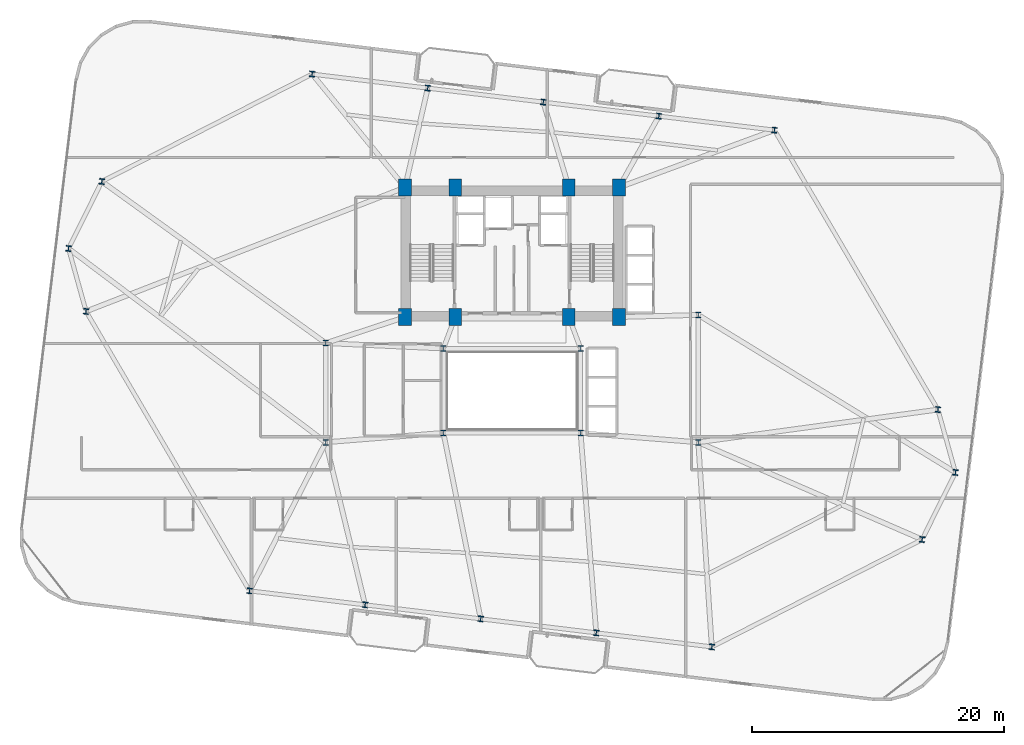
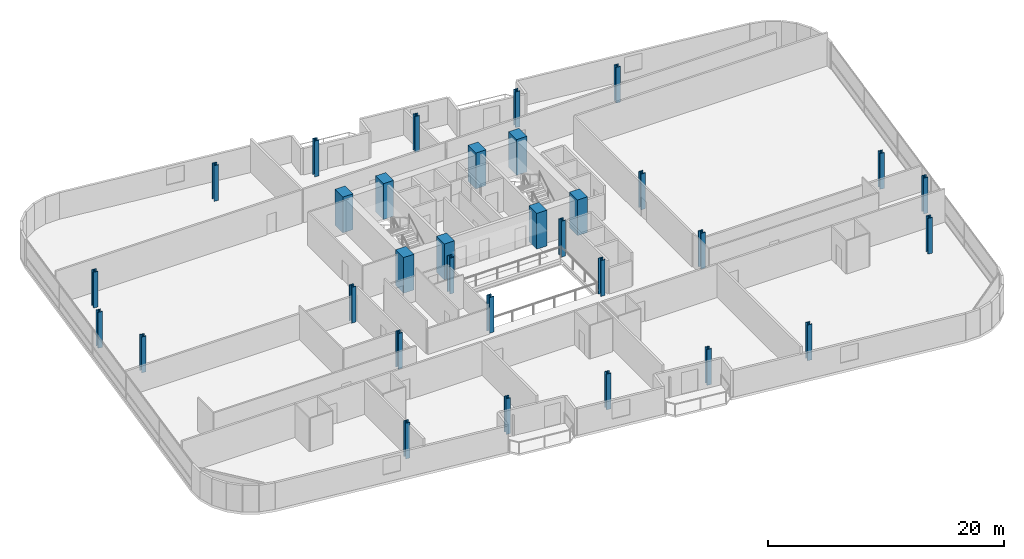
# One storey, part 1 of 25: 32 columns.
"""IFC4 building model written with IfcOpenShell, lengths in metres."""

import ifcopenshell
import ifcopenshell.guid

model = None  # the IFC model being written
_history = None  # IfcOwnerHistory: only IFC2X3 demands one
_inside = {}  # id of a spatial element -> (the spatial element, [elements in it])
_under = {}  # id of a project, library or spatial element -> (it, [spatial elements below it])
_declared = {}  # id of a project -> (the project, [libraries it declares])
_typed = {}  # id of a type object -> (the type object, [elements of that type])
_made_of = {}  # id of a material, layer set ... -> (it, [elements and type objects made of it])


def new_model(schema):
    """Start an empty IFC model of exactly this schema.

    Asked for "IFC4X3", IfcOpenShell would pick the latest addendum, in which some entities
    have other attributes; the version numbers below select the first issue.
    IFC2X3 requires an IfcOwnerHistory on every rooted entity: one is made here for all.
    """
    global model, _history
    if schema == "IFC4X3":
        model = ifcopenshell.file(schema_version=(4, 3, 0, 0))
    else:
        model = ifcopenshell.file(schema=schema)
    _inside.clear()
    _under.clear()
    _declared.clear()
    _typed.clear()
    _made_of.clear()
    _history = None
    if model.schema == "IFC2X3":
        org = make("IfcOrganization", Name="unknown")
        user = make(
            "IfcPersonAndOrganization",
            ThePerson=make("IfcPerson", FamilyName="unknown"),
            TheOrganization=org,
        )
        app = make(
            "IfcApplication",
            ApplicationDeveloper=org,
            Version="unknown",
            ApplicationFullName="unknown",
            ApplicationIdentifier="unknown",
        )
        _history = make(
            "IfcOwnerHistory",
            OwningUser=user,
            OwningApplication=app,
            ChangeAction="ADDED",
            CreationDate=0,
        )
    return model


def make(cls, **values):
    """One entity of the class cls with the attributes given. An attribute that is None is left unset."""
    return model.create_entity(
        cls, **{name: value for name, value in values.items() if value is not None}
    )


def rooted(cls, **values):
    """An entity with a GlobalId (a new one), such as an element, a storey or a relation."""
    return make(cls, GlobalId=ifcopenshell.guid.new(), OwnerHistory=_history, **values)


def si_unit(unit_type, name, prefix=None):
    """IfcSIUnit, for example si_unit("LENGTHUNIT", "METRE", prefix="MILLI")."""
    return make("IfcSIUnit", UnitType=unit_type, Prefix=prefix, Name=name)


def assignment(units):
    """IfcUnitAssignment: the units of a project."""
    return None if units is None else make("IfcUnitAssignment", Units=units)


def point(xyz):
    """IfcCartesianPoint."""
    return None if xyz is None else make("IfcCartesianPoint", Coordinates=xyz)


def direction(xyz):
    """IfcDirection."""
    return None if xyz is None else make("IfcDirection", DirectionRatios=xyz)


def frame(location, z_axis=None, x_axis=None):
    """IfcAxis2Placement3D, a coordinate frame: its origin and axes. An axis left out is left unset."""
    return make(
        "IfcAxis2Placement3D",
        Location=point(location),
        Axis=direction(z_axis),
        RefDirection=direction(x_axis),
    )


def frame_2d(location, x_axis=None):
    """IfcAxis2Placement2D, a coordinate frame in the plane: its origin and x axis."""
    return make(
        "IfcAxis2Placement2D", Location=point(location), RefDirection=direction(x_axis)
    )


def origin():
    """The frame at (0, 0, 0) with its axes left unset."""
    return frame((0.0, 0.0, 0.0))


def origin_2d():
    """The frame at (0, 0) in the plane with its x axis left unset."""
    return frame_2d((0.0, 0.0))


def place(relative_to, where):
    """IfcLocalPlacement: puts the frame where relative to a parent placement (None: the world)."""
    return make(
        "IfcLocalPlacement", PlacementRelTo=relative_to, RelativePlacement=where
    )


def context(
    kind, dimensions, precision=None, world=None, true_north=None, identifier=None
):
    """IfcGeometricRepresentationContext, for example the 3D "Model" context."""
    return make(
        "IfcGeometricRepresentationContext",
        ContextIdentifier=identifier,
        ContextType=kind,
        CoordinateSpaceDimension=dimensions,
        Precision=precision,
        WorldCoordinateSystem=world,
        TrueNorth=true_north,
    )


def subcontext(parent, identifier, kind, view, scale=None):
    """IfcGeometricRepresentationSubContext, for example "Body" below "Model"."""
    return make(
        "IfcGeometricRepresentationSubContext",
        ContextIdentifier=identifier,
        ContextType=kind,
        ParentContext=parent,
        TargetScale=scale,
        TargetView=view,
    )


def project(units=None, contexts=None):
    """IfcProject with its units and contexts."""
    return rooted(
        "IfcProject",
        Name="project",
        RepresentationContexts=contexts,
        UnitsInContext=assignment(units),
    )


def spatial(cls, under=None, at=None, **own):
    """A site, building, storey or space (cls), placed at a placement, below another one or the project."""
    s = rooted(cls, ObjectPlacement=at, **own)
    if under is not None:
        _under.setdefault(under.id(), (under, []))[1].append(s)
    return s


def profile(cls, at=None, kind="AREA", **sizes):
    """A parametric profile (cls). Its sizes go by their IFC names, for example OverallWidth=200.0."""
    return make(cls, ProfileType=kind, Position=at, **sizes)


def rectangle(**sizes):
    """IfcRectangleProfileDef."""
    return profile("IfcRectangleProfileDef", **sizes)


def i_section(**sizes):
    """IfcIShapeProfileDef."""
    return profile("IfcIShapeProfileDef", **sizes)


def extrude(swept, where, along, depth):
    """IfcExtrudedAreaSolid: the profile swept, set in the frame where, extruded along a direction by depth."""
    return make(
        "IfcExtrudedAreaSolid",
        SweptArea=swept,
        Position=where,
        ExtrudedDirection=direction(along),
        Depth=depth,
    )


def shape(context_of_items, identifier, shape_type, items):
    """IfcShapeRepresentation: the items that make up one representation, for example the "Body"."""
    return make(
        "IfcShapeRepresentation",
        ContextOfItems=context_of_items,
        RepresentationIdentifier=identifier,
        RepresentationType=shape_type,
        Items=items,
    )


def material(Name=None, Category=None):
    """IfcMaterial."""
    return make("IfcMaterial", Name=Name, Category=Category)


def material_profile(
    of_material, cross_section, Name=None, Category=None, Priority=None
):
    """IfcMaterialProfile: a cross section and its material."""
    return make(
        "IfcMaterialProfile",
        Name=Name,
        Material=of_material,
        Profile=cross_section,
        Priority=Priority,
        Category=Category,
    )


def profile_set(profiles, Name=None, composite=None):
    """IfcMaterialProfileSet."""
    return make(
        "IfcMaterialProfileSet",
        Name=Name,
        MaterialProfiles=profiles,
        CompositeProfile=composite,
    )


def made_of(thing, what):
    """Note that an element or type object is made of a material, layer set ...; save() writes the relation."""
    if what is not None:
        _made_of.setdefault(what.id(), (what, []))[1].append(thing)
    return thing


def type_object(cls, material=None, **own):
    """A type object (cls), such as IfcWallType, which elements share."""
    return made_of(rooted(cls, **own), material)


def element(
    cls,
    number,
    at=None,
    inside=None,
    cuts=None,
    type_object=None,
    material=None,
    context=None,
    identifier="Body",
    shape_type=None,
    held_by="IfcProductDefinitionShape",
    body=None,
    shapes=None,
    **own,
):
    """One element of the class cls, such as IfcWall. Its Tag is "e" and its number.

    at: its placement. inside: the storey or other place that contains it. cuts: it is an
    opening in that element (IfcRelVoidsElement). A single representation is given by context,
    identifier, shape_type and body (its items); several are given by shapes. held_by: the class
    of the entity that holds the representations. save() writes the other relations.
    """
    e = rooted(cls, Tag="e%d" % number, ObjectPlacement=at, **own)
    if body is not None:
        shapes = [shape(context, identifier, shape_type, body)]
    if shapes is not None:
        e.Representation = make(held_by, Representations=shapes)
    if inside is not None:
        _inside.setdefault(inside.id(), (inside, []))[1].append(e)
    if cuts is not None:
        rooted(
            "IfcRelVoidsElement", RelatingBuildingElement=cuts, RelatedOpeningElement=e
        )
    if type_object is not None:
        _typed.setdefault(type_object.id(), (type_object, []))[1].append(e)
    return made_of(e, material)


def aggregate(whole, parts):
    """IfcRelAggregates: a whole, such as a stair, and the parts it consists of."""
    return rooted("IfcRelAggregates", RelatingObject=whole, RelatedObjects=parts)


def save(model, path):
    """Write the relations noted so far, then the file.

    IfcRelAggregates (storeys below a building ...), IfcRelContainedInSpatialStructure (elements
    in a storey), IfcRelDefinesByType, IfcRelAssociatesMaterial and IfcRelDeclares: one each for
    every whole, place, type object, material and project.
    """
    for whole, parts in _under.values():
        aggregate(whole, parts)
    for where, things in _inside.values():
        rooted(
            "IfcRelContainedInSpatialStructure",
            RelatedElements=things,
            RelatingStructure=where,
        )
    for kind, things in _typed.values():
        rooted("IfcRelDefinesByType", RelatedObjects=things, RelatingType=kind)
    for what, things in _made_of.values():
        rooted("IfcRelAssociatesMaterial", RelatedObjects=things, RelatingMaterial=what)
    for by, libraries in _declared.values():
        rooted("IfcRelDeclares", RelatingContext=by, RelatedDefinitions=libraries)
    model.write(path)


model = new_model("IFC4")

# Units and contexts
model_context = context("Model", 3, precision=1e-05, world=origin(), true_north=direction((0.0, 1.0)))
body_context = subcontext(model_context, "Body", "Model", "MODEL_VIEW")
ifc_project = project(units=[si_unit("LENGTHUNIT", "METRE"), si_unit("AREAUNIT", "SQUARE_METRE"), si_unit("VOLUMEUNIT", "CUBIC_METRE"), si_unit("PLANEANGLEUNIT", "RADIAN"), si_unit("MASSUNIT", "GRAM", prefix="KILO")], contexts=[model_context])

# Site, building, storey
site_placement = place(None, origin())
site = spatial("IfcSite", under=ifc_project, at=site_placement, CompositionType="ELEMENT")
building_placement = place(site_placement, origin())
building = spatial("IfcBuilding", under=site, at=building_placement, Name="Varnelok Gate Tower", CompositionType="ELEMENT")
storey_placement = place(building_placement, frame((0.0, 0.0, 136.5)))
storey = spatial("IfcBuildingStorey", under=building, at=storey_placement, Name="L34", CompositionType="ELEMENT", Elevation=136.5)

# Columns
ifc_material_1 = material(Name="Concrete C70/85", Category="concrete")
ifc_material_profile_1 = material_profile(ifc_material_1, rectangle(XDim=1.0, YDim=1.35009765625, at=origin_2d()), Name="RC1350X1000")
ifc_profile_set_1 = profile_set([ifc_material_profile_1], Name="Concrete C70/85")
column_type_1 = type_object("IfcColumnType", Name="COL-RC1350X1000", PredefinedType="COLUMN", material=ifc_profile_set_1)
for number, where, z_axis, x_axis, name in (
    (1, (30.699951171875, 28.75, 0.0), (0.0, 0.0, 1.0), (1.0, 0.0, 0.0), "L34 Core Spine Column SC1"),
    (2, (34.679931640625, 28.75, 0.0), (0.0, 0.0, 1.0), (1.0, 0.0, 0.0), "L34 Core Spine Column SC2"),
    (3, (43.719970703125, 28.75, 0.0), (0.0, 0.0, 1.0), (1.0, 0.0, 0.0), "L34 Core Spine Column SC3"),
    (4, (47.699951171875, 28.75, 0.0), (0.0, 0.0, 1.0), (1.0, 0.0, 0.0), "L34 Core Spine Column SC4"),
    (5, (30.699951171875, 39.050048828125, 0.0), (0.0, 0.0, 1.0), (1.0, 0.0, 0.0), "L34 Core Spine Column SC5"),
    (6, (34.679931640625, 39.050048828125, 0.0), (0.0, 0.0, 1.0), (1.0, 0.0, 0.0), "L34 Core Spine Column SC6"),
    (7, (43.719970703125, 39.050048828125, 0.0), (0.0, 0.0, 1.0), (1.0, 0.0, 0.0), "L34 Core Spine Column SC7"),
    (8, (47.699951171875, 39.050048828125, 0.0), (0.0, 0.0, 1.0), (1.0, 0.0, 0.0), "L34 Core Spine Column SC8"),
):
    element("IfcColumn", number, at=place(storey_placement, frame(where, z_axis=z_axis, x_axis=x_axis)), inside=storey, type_object=column_type_1, Name=name, PredefinedType="COLUMN", context=body_context, shape_type="SweptSolid", body=[
        extrude(rectangle(XDim=1.0, YDim=1.35009765625, at=origin_2d()), origin(), (0.0, 0.0, 1.0), 3.699951171875),
    ])
ifc_material_2 = material(Name="Structural Steel ASTM A992 Grade 50", Category="steel")
ifc_material_profile_2 = material_profile(ifc_material_2, i_section(OverallWidth=0.41796875, OverallDepth=0.455078125, WebThickness=0.0419921875, FlangeThickness=0.067626953125, FilletRadius=0.02490234375, at=origin_2d()), Name="W14X370")
ifc_profile_set_2 = profile_set([ifc_material_profile_2], Name="Structural Steel ASTM A992 Grade 50")
column_type_2 = type_object("IfcColumnType", Name="COL-W14X370", PredefinedType="COLUMN", material=ifc_profile_set_2)
for number, where, z_axis, x_axis, name in (
    (9, (18.345703125, 6.99658203125, 0.0), (0.0, 0.0, 1.0), (0.992732158755, -0.12034475881, 0.0), "L34 B3 Perimeter Column PC01"),
    (10, (27.528564453125, 5.883544921875, 0.0), (0.0, 0.0, 1.0), (0.992732158755, -0.12034475881, 0.0), "L34 B3 Perimeter Column PC02"),
    (11, (36.711181640625, 4.770263671875, 0.0), (0.0, 0.0, 1.0), (0.992732158755, -0.12034475881, 0.0), "L34 B3 Perimeter Column PC03"),
    (12, (45.89404296875, 3.656982421875, 0.0), (0.0, 0.0, 1.0), (0.992732158755, -0.12034475881, 0.0), "L34 B3 Perimeter Column PC04"),
    (13, (55.076904296875, 2.5439453125, 0.0), (0.0, 0.0, 1.0), (0.992732158755, -0.12034475881, 0.0), "L34 B3 Perimeter Column PC05"),
    (14, (71.79296875, 11.07421875, 0.0), (0.0, 0.0, 1.0), (0.992732158755, -0.12034475881, 0.0), "L34 B3 Perimeter Column PC06"),
    (15, (74.435546875, 16.40478515625, 0.0), (0.0, 0.0, 1.0), (0.992732158755, -0.12034475881, 0.0), "L34 B3 Perimeter Column PC07"),
    (16, (73.04443359375, 21.398681640625, 0.0), (0.0, 0.0, 1.0), (0.992732158755, -0.12034475881, 0.0), "L34 B3 Perimeter Column PC08"),
    (17, (60.05419921875, 43.603271484375, 0.0), (0.0, 0.0, 1.0), (0.992732158755, -0.12034475881, 0.0), "L34 B3 Perimeter Column PC09"),
    (18, (50.87158203125, 44.716552734375, 0.0), (0.0, 0.0, 1.0), (0.992732158755, -0.12034475881, 0.0), "L34 B3 Perimeter Column PC10"),
    (19, (41.688720703125, 45.82958984375, 0.0), (0.0, 0.0, 1.0), (0.992732158755, -0.12034475881, 0.0), "L34 B3 Perimeter Column PC11"),
    (20, (32.506103515625, 46.94287109375, 0.0), (0.0, 0.0, 1.0), (0.992732158755, -0.12034475881, 0.0), "L34 B3 Perimeter Column PC12"),
    (21, (23.3232421875, 48.05615234375, 0.0), (0.0, 0.0, 1.0), (0.992732158755, -0.12034475881, 0.0), "L34 B3 Perimeter Column PC13"),
    (22, (6.607177734375, 39.52587890625, 0.0), (0.0, 0.0, 1.0), (0.992732158755, -0.12034475881, 0.0), "L34 B3 Perimeter Column PC14"),
    (23, (3.96435546875, 34.195068359375, 0.0), (0.0, 0.0, 1.0), (0.992732158755, -0.12034475881, 0.0), "L34 B3 Perimeter Column PC15"),
    (24, (5.35546875, 29.201416015625, 0.0), (0.0, 0.0, 1.0), (0.992732158755, -0.12034475881, 0.0), "L34 B3 Perimeter Column PC16"),
):
    element("IfcColumn", number, at=place(storey_placement, frame(where, z_axis=z_axis, x_axis=x_axis)), inside=storey, type_object=column_type_2, Name=name, PredefinedType="COLUMN", context=body_context, shape_type="SweptSolid", body=[
        extrude(i_section(OverallWidth=0.41796875, OverallDepth=0.455078125, WebThickness=0.0419921875, FlangeThickness=0.067626953125, FilletRadius=0.02490234375, at=origin_2d()), origin(), (0.0, 0.0, 1.0), 3.699951171875),
    ])
ifc_material_profile_3 = material_profile(ifc_material_2, i_section(OverallWidth=0.424072265625, OverallDepth=0.47412109375, WebThickness=0.047607421875, FlangeThickness=0.0771484375, FilletRadius=0.02490234375, at=origin_2d()), Name="W14X426")
ifc_profile_set_3 = profile_set([ifc_material_profile_3], Name="Structural Steel ASTM A992 Grade 50")
column_type_3 = type_object("IfcColumnType", Name="COL-W14X426", PredefinedType="COLUMN", material=ifc_profile_set_3)
for number, where, z_axis, x_axis, name in (
    (25, (33.75, 19.550048828125, 0.0), (0.0, 0.0, 1.0), (1.0, 0.0, 0.0), "L34 Atrium Spine Column AC1"),
    (26, (44.64990234375, 19.550048828125, 0.0), (0.0, 0.0, 1.0), (1.0, 0.0, 0.0), "L34 Atrium Spine Column AC2"),
    (27, (33.75, 26.25, 0.0), (0.0, 0.0, 1.0), (1.0, 0.0, 0.0), "L34 Atrium Spine Column AC3"),
    (28, (44.64990234375, 26.25, 0.0), (0.0, 0.0, 1.0), (1.0, 0.0, 0.0), "L34 Atrium Spine Column AC4"),
    (29, (24.39990234375, 18.800048828125, 0.0), (0.0, 0.0, 1.0), (1.0, 0.0, 0.0), "L34 Wing Spine Column WS1"),
    (30, (24.39990234375, 26.679931640625, 0.0), (0.0, 0.0, 1.0), (1.0, 0.0, 0.0), "L34 Wing Spine Column WS2"),
    (31, (54.0, 18.800048828125, 0.0), (0.0, 0.0, 1.0), (1.0, 0.0, 0.0), "L34 Wing Spine Column ES1"),
    (32, (54.0, 28.919921875, 0.0), (0.0, 0.0, 1.0), (1.0, 0.0, 0.0), "L34 Wing Spine Column ES2"),
):
    element("IfcColumn", number, at=place(storey_placement, frame(where, z_axis=z_axis, x_axis=x_axis)), inside=storey, type_object=column_type_3, Name=name, PredefinedType="COLUMN", context=body_context, shape_type="SweptSolid", body=[
        extrude(i_section(OverallWidth=0.424072265625, OverallDepth=0.47412109375, WebThickness=0.047607421875, FlangeThickness=0.0771484375, FilletRadius=0.02490234375, at=origin_2d()), origin(), (0.0, 0.0, 1.0), 3.699951171875),
    ])

save(model, "model.ifc")
